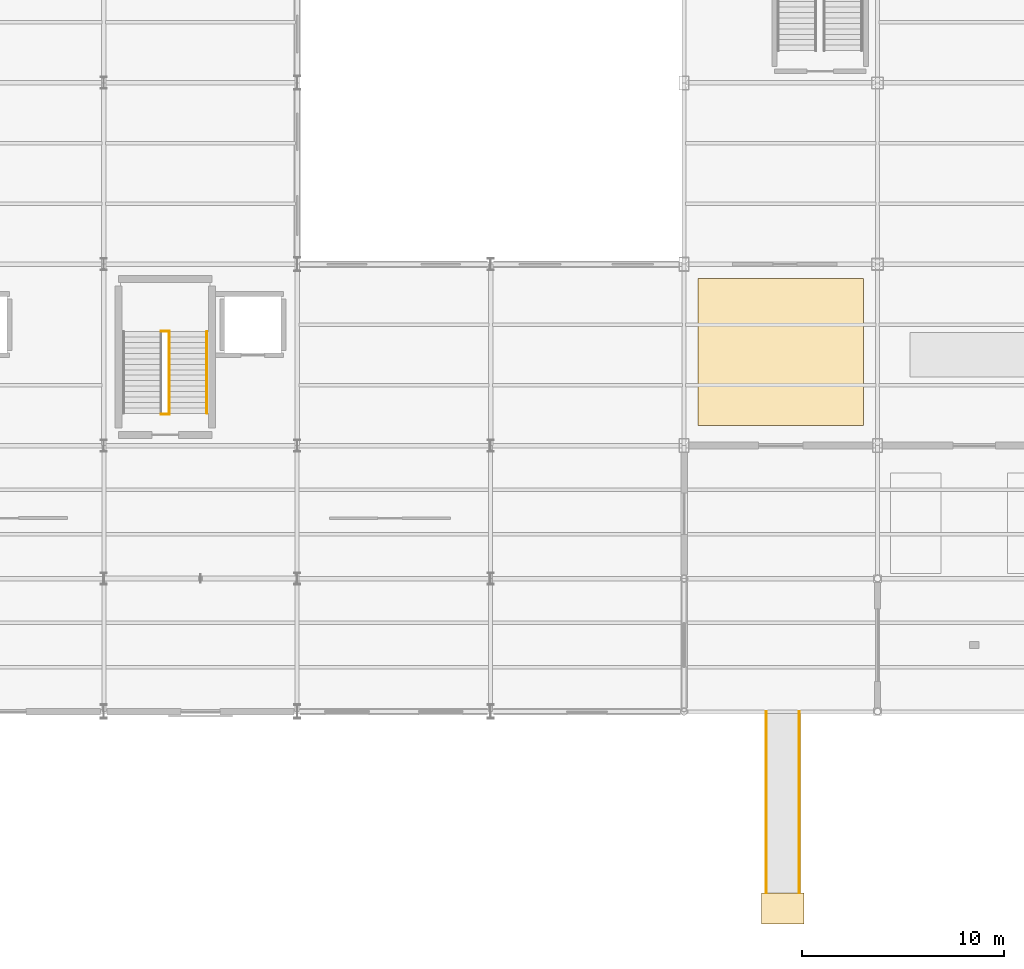
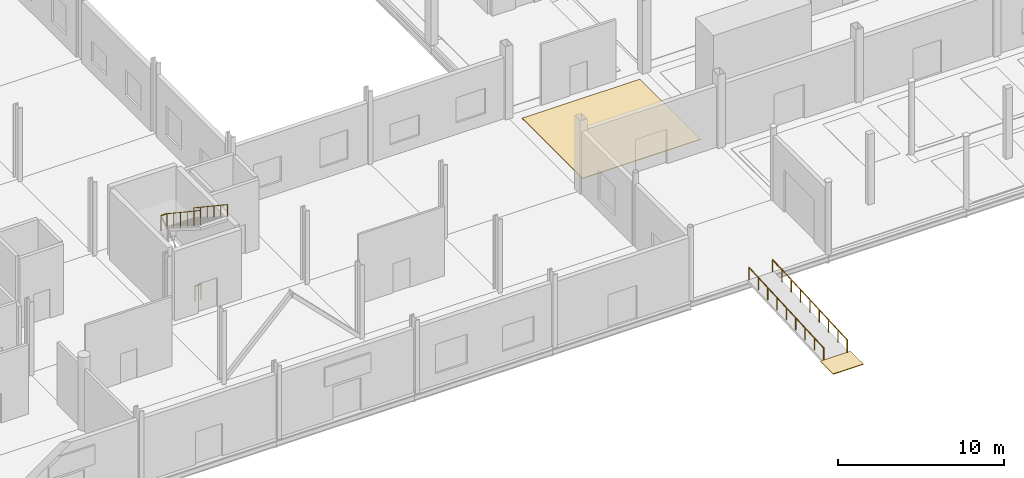
# One storey, part 76 of 85: 6 railings, 2 coverings.
"""IFC4 building model written with IfcOpenShell, lengths in metres."""

from ifc_helpers import new_model, si_unit, direction, frame, origin, origin_2d, place, context, subcontext, project, spatial, polyline, circle, outline, extrude, material, layer, layer_set, type_object, element, save


model = new_model("IFC4")

# Units and contexts
model_context = context("Model", 3, precision=1e-05, world=origin(), true_north=direction((0.0, 1.0)))
body_context = subcontext(model_context, "Body", "Model", "MODEL_VIEW")
ifc_project = project(units=[si_unit("LENGTHUNIT", "METRE"), si_unit("AREAUNIT", "SQUARE_METRE"), si_unit("VOLUMEUNIT", "CUBIC_METRE"), si_unit("PLANEANGLEUNIT", "RADIAN"), si_unit("MASSUNIT", "GRAM", prefix="KILO")], contexts=[model_context])

# Site, building, storey
site_placement = place(None, origin())
site = spatial("IfcSite", under=ifc_project, at=site_placement, CompositionType="ELEMENT")
building_placement = place(site_placement, origin())
building = spatial("IfcBuilding", under=site, at=building_placement, Name="Zarnetskaya Central Station", CompositionType="ELEMENT")
storey_placement = place(building_placement, origin())
storey = spatial("IfcBuildingStorey", under=building, at=storey_placement, Name="L00", CompositionType="ELEMENT", Elevation=0.0)

# Coverings
ifc_material_1 = material(Name="Granite stone flooring", Category="masonry")
ifc_layer_1 = layer(ifc_material_1, 0.0400390625, Name="Granite stone flooring", Category="masonry")
ifc_layer_set_1 = layer_set([ifc_layer_1], Name="Granite stone flooring")
covering_type_1 = type_object("IfcCoveringType", Name="COV-GRAN-FLR", PredefinedType="FLOORING", material=ifc_layer_set_1)
covering_1_placement = place(storey_placement, origin())
element("IfcCovering", 1, at=covering_1_placement, inside=storey, type_object=covering_type_1, Name="Granite terrazzo floor finish L00-203", PredefinedType="FLOORING", context=body_context, shape_type="SweptSolid", body=[
    extrude(outline(polyline([(58.300048828125, 14.199951171875), (66.5, 14.199951171875), (66.5, 21.5), (58.300048828125, 21.5), (58.300048828125, 14.199951171875)])), origin(), (0.0, 0.0, 1.0), 0.0400390625),
])
ifc_material_2 = material(Name="Granite stone sidewalk paving", Category="masonry")
ifc_layer_2 = layer(ifc_material_2, 0.050048828125, Name="Granite stone sidewalk paving", Category="masonry")
ifc_layer_set_2 = layer_set([ifc_layer_2], Name="Granite stone sidewalk paving")
covering_type_2 = type_object("IfcCoveringType", Name="COV-PAVING", PredefinedType="USERDEFINED", material=ifc_layer_set_2)
covering_2_placement = place(storey_placement, frame((0.0, 0.0, -0.5)))
element("IfcCovering", 2, at=covering_2_placement, inside=storey, type_object=covering_type_2, Name="Accessible ramp lower landing paving RM-02", ObjectType="PAVING", PredefinedType="USERDEFINED", context=body_context, shape_type="SweptSolid", body=[
    extrude(outline(polyline([(61.449951171875, -10.550048828125), (63.550048828125, -10.550048828125), (63.550048828125, -9.0), (61.449951171875, -9.0), (61.449951171875, -10.550048828125)])), origin(), (0.0, 0.0, 1.0), 0.050048828125),
])

# Railings
ifc_material_3 = material(Name="Steel S355", Category="steel")
railing_type_1 = type_object("IfcRailingType", Name="RAIL-HAND-900", PredefinedType="HANDRAIL", material=ifc_material_3)
railing_1_placement = place(storey_placement, frame((33.919921875, 18.85009765625, 2.699951171875)))
element("IfcRailing", 3, at=railing_1_placement, inside=storey, type_object=railing_type_1, Name="Stair ST-C3 L00 flight 2 handrail", PredefinedType="HANDRAIL", context=body_context, shape_type="SweptSolid", body=[
    extrude(circle(Radius=0.02392578125, at=origin_2d()), frame((0.0, 0.0, 0.8759765625), z_axis=(0.0, -0.832058010752, 0.55468862143), x_axis=(1.0, 0.0, 0.0)), (0.0, 0.0, 1.0), 4.867431640625),
    extrude(circle(Radius=0.02099609375, at=origin_2d()), origin(), (0.0, 0.0, 1.0), 0.851806640625),
    extrude(circle(Radius=0.02099609375, at=origin_2d()), frame((0.0, -0.81005859375, 0.5400390625)), (0.0, 0.0, 1.0), 0.851806640625),
    extrude(circle(Radius=0.02099609375, at=origin_2d()), frame((0.0, -1.6201171875, 1.080078125)), (0.0, 0.0, 1.0), 0.851806640625),
    extrude(circle(Radius=0.02099609375, at=origin_2d()), frame((0.0, -2.429931640625, 1.619873046875)), (0.0, 0.0, 1.0), 0.851806640625),
    extrude(circle(Radius=0.02099609375, at=origin_2d()), frame((0.0, -3.239990234375, 2.159912109375)), (0.0, 0.0, 1.0), 0.851806640625),
    extrude(circle(Radius=0.02099609375, at=origin_2d()), frame((0.0, -4.050048828125, 2.699951171875)), (0.0, 0.0, 1.0), 0.851806640625),
])
railing_type_2 = type_object("IfcRailingType", Name="RAIL-HAND-EXT", PredefinedType="HANDRAIL", material=ifc_material_3)
for number, where, name in (
    (4, (61.679931640625, -9.0, -0.449951171875), "Accessible ramp handrail RM-02-L"),
    (5, (63.320068359375, -9.0, -0.449951171875), "Accessible ramp handrail RM-02-R"),
):
    element("IfcRailing", number, at=place(storey_placement, frame(where)), inside=storey, type_object=railing_type_2, Name=name, PredefinedType="HANDRAIL", context=body_context, shape_type="SweptSolid", body=[
        extrude(circle(Radius=0.02392578125, at=origin_2d()), frame((0.0, 0.0, 0.89599609375), z_axis=(0.0, 0.998752609117, 0.049932211876), x_axis=(-1.0, 0.0, 0.0)), (0.0, 0.0, 1.0), 9.01123046875),
        extrude(circle(Radius=0.02099609375, at=origin_2d()), origin(), (0.0, 0.0, 1.0), 0.871826171875),
        extrude(circle(Radius=0.02099609375, at=origin_2d()), frame((0.0, 1.125, 0.05615234375)), (0.0, 0.0, 1.0), 0.871826171875),
        extrude(circle(Radius=0.02099609375, at=origin_2d()), frame((0.0, 2.25, 0.112548828125)), (0.0, 0.0, 1.0), 0.871826171875),
        extrude(circle(Radius=0.02099609375, at=origin_2d()), frame((0.0, 3.375, 0.168701171875)), (0.0, 0.0, 1.0), 0.871826171875),
        extrude(circle(Radius=0.02099609375, at=origin_2d()), frame((0.0, 4.5, 0.22509765625)), (0.0, 0.0, 1.0), 0.871826171875),
        extrude(circle(Radius=0.02099609375, at=origin_2d()), frame((0.0, 5.625, 0.28125)), (0.0, 0.0, 1.0), 0.871826171875),
        extrude(circle(Radius=0.02099609375, at=origin_2d()), frame((0.0, 6.75, 0.33740234375)), (0.0, 0.0, 1.0), 0.871826171875),
        extrude(circle(Radius=0.02099609375, at=origin_2d()), frame((0.0, 7.875, 0.393798828125)), (0.0, 0.0, 1.0), 0.871826171875),
        extrude(circle(Radius=0.02099609375, at=origin_2d()), frame((0.0, 9.0, 0.449951171875)), (0.0, 0.0, 1.0), 0.871826171875),
    ])
railing_type_3 = type_object("IfcRailingType", Name="RAIL-STAIR-GRD", PredefinedType="BALUSTRADE", material=ifc_material_3)
for number, where, name in (
    (6, (31.639892578125, 14.760009765625, 0.0), "Stair ST-C3 L00 floor well guard"),
    (7, (31.639892578125, 18.8701171875, 2.699951171875), "Stair ST-C3 L00 half-landing well guard"),
):
    element("IfcRailing", number, at=place(storey_placement, frame(where)), inside=storey, type_object=railing_type_3, Name=name, PredefinedType="BALUSTRADE", context=body_context, shape_type="SweptSolid", body=[
        extrude(circle(Radius=0.02392578125, at=origin_2d()), frame((0.0, 0.0, 1.09619140625), z_axis=(1.0, 0.0, 0.0), x_axis=(0.0, 1.0, 0.0)), (0.0, 0.0, 1.0), 0.420166015625),
        extrude(circle(Radius=0.02099609375, at=origin_2d()), origin(), (0.0, 0.0, 1.0), 1.072021484375),
        extrude(circle(Radius=0.02099609375, at=origin_2d()), frame((0.420166015625, 0.0, 0.0)), (0.0, 0.0, 1.0), 1.072021484375),
    ])
railing_2_placement = place(storey_placement, frame((32.06005859375, 18.85009765625, 2.699951171875)))
element("IfcRailing", 8, at=railing_2_placement, inside=storey, type_object=railing_type_3, Name="Stair ST-C3 L00 flight 2 well guard", PredefinedType="BALUSTRADE", context=body_context, shape_type="SweptSolid", body=[
    extrude(circle(Radius=0.02392578125, at=origin_2d()), frame((0.0, 0.0, 1.09619140625), z_axis=(0.0, -0.832058010752, 0.55468862143), x_axis=(1.0, 0.0, 0.0)), (0.0, 0.0, 1.0), 4.867431640625),
    extrude(circle(Radius=0.02099609375, at=origin_2d()), origin(), (0.0, 0.0, 1.0), 1.072021484375),
    extrude(circle(Radius=0.02099609375, at=origin_2d()), frame((0.0, -0.81005859375, 0.5400390625)), (0.0, 0.0, 1.0), 1.072021484375),
    extrude(circle(Radius=0.02099609375, at=origin_2d()), frame((0.0, -1.6201171875, 1.080078125)), (0.0, 0.0, 1.0), 1.072021484375),
    extrude(circle(Radius=0.02099609375, at=origin_2d()), frame((0.0, -2.429931640625, 1.619873046875)), (0.0, 0.0, 1.0), 1.072021484375),
    extrude(circle(Radius=0.02099609375, at=origin_2d()), frame((0.0, -3.239990234375, 2.159912109375)), (0.0, 0.0, 1.0), 1.072021484375),
    extrude(circle(Radius=0.02099609375, at=origin_2d()), frame((0.0, -4.050048828125, 2.699951171875)), (0.0, 0.0, 1.0), 1.072021484375),
])

save(model, "model.ifc")
